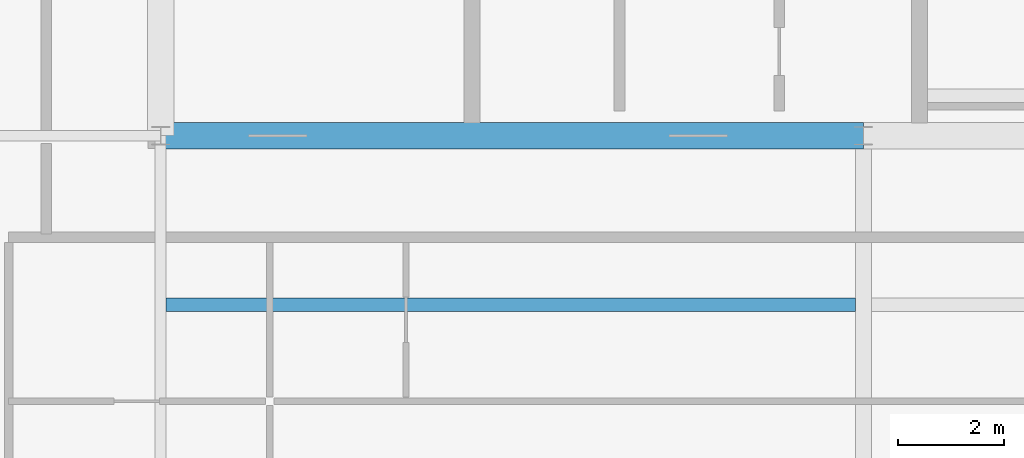
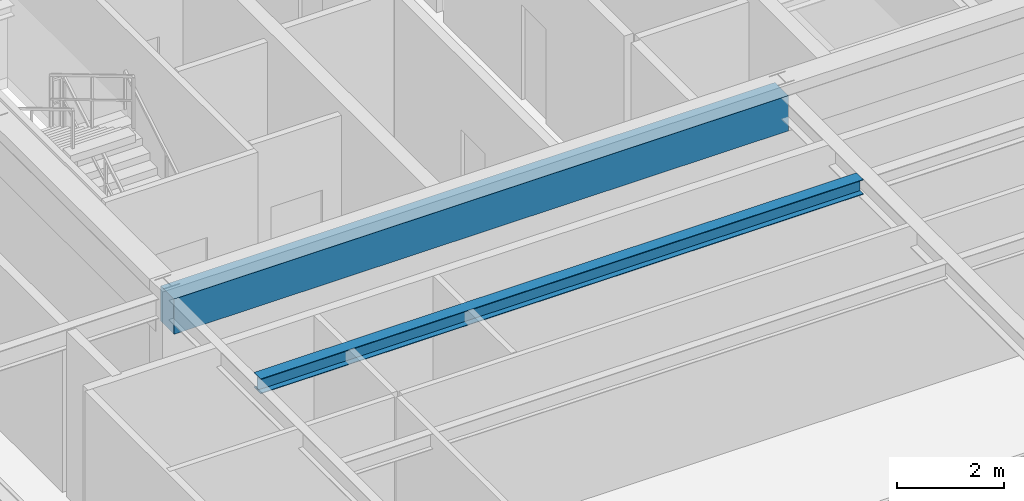
# One storey, part 7 of 34: 2 beams.
"""IFC4 building model written with IfcOpenShell, lengths in metres."""

from ifc_helpers import new_model, si_unit, direction, frame, origin, origin_2d, place, context, subcontext, project, spatial, rectangle, i_section, extrude, source, transform, mapped, material, material_profile, profile_set, type_object, element, save


model = new_model("IFC4")

# Units and contexts
model_context = context("Model", 3, precision=1e-05, world=origin(), true_north=direction((0.0, 1.0)))
body_context = subcontext(model_context, "Body", "Model", "MODEL_VIEW")
ifc_project = project(units=[si_unit("LENGTHUNIT", "METRE"), si_unit("AREAUNIT", "SQUARE_METRE"), si_unit("VOLUMEUNIT", "CUBIC_METRE"), si_unit("PLANEANGLEUNIT", "RADIAN"), si_unit("MASSUNIT", "GRAM", prefix="KILO"), si_unit("THERMODYNAMICTEMPERATUREUNIT", "KELVIN"), si_unit("POWERUNIT", "WATT")], contexts=[model_context])

# Site, building, storey
site_placement = place(None, origin())
site = spatial("IfcSite", under=ifc_project, at=site_placement, CompositionType="ELEMENT")
building_placement = place(site_placement, origin())
building = spatial("IfcBuilding", under=site, at=building_placement, Name="Yuzanri Waterfront Tower", CompositionType="ELEMENT")
storey_placement = place(building_placement, frame((0.0, 0.0, 339.199951171875)))
storey = spatial("IfcBuildingStorey", under=building, at=storey_placement, Name="L91", CompositionType="ELEMENT", Elevation=339.199951171875)

# Beams
ifc_material_1 = material(Name="Concrete C50", Category="concrete")
ifc_material_profile_1 = material_profile(ifc_material_1, rectangle(XDim=0.5, YDim=0.800048828125, at=origin_2d()), Name="RC 500x800")
ifc_profile_set_1 = profile_set([ifc_material_profile_1], Name="Concrete C50")
beam_type_1 = type_object("IfcBeamType", Name="Core Coupling Lintel Concrete C50 500x800", PredefinedType="LINTEL", material=ifc_profile_set_1)
shared_shape_1 = source(origin(), body_context, "Body", "SweptSolid", [
    extrude(rectangle(XDim=0.5, YDim=0.800048828125, at=origin_2d()), origin(), (0.0, 0.0, 1.0), 13.199951171875),
])
beam_1_placement = place(storey_placement, frame((23.800048828125, 19.39990234375, 3.360107421875), z_axis=(1.0, 0.0, 0.0), x_axis=(0.0, 1.0, 0.0)))
element("IfcBeam", 1, at=beam_1_placement, inside=storey, type_object=beam_type_1, Name="L91 Core Tie Beam CS1", PredefinedType="LINTEL", context=body_context, shape_type="MappedRepresentation", body=[
    mapped(shared_shape_1, transform((0.0, 0.0, 0.0), scale=1.0)),
])
ifc_material_2 = material(Name="Steel Q355B", Category="steel")
ifc_material_profile_2 = material_profile(ifc_material_2, i_section(OverallWidth=0.25, OverallDepth=0.340087890625, WebThickness=0.009033203125, FlangeThickness=0.013916015625, at=origin_2d()), Name="HM 340x250x9x14")
ifc_profile_set_2 = profile_set([ifc_material_profile_2], Name="Steel Q355B")
beam_type_2 = type_object("IfcBeamType", Name="Penthouse Floor Girder Q355B HM 340x250", PredefinedType="BEAM", material=ifc_profile_set_2)
shared_shape_2 = source(origin(), body_context, "Body", "SweptSolid", [
    extrude(i_section(OverallWidth=0.25, OverallDepth=0.340087890625, WebThickness=0.009033203125, FlangeThickness=0.013916015625, at=origin_2d()), origin(), (0.0, 0.0, 1.0), 12.9501953125),
])
beam_2_placement = place(storey_placement, frame((23.89990234375, 16.22509765625, 3.590087890625), z_axis=(1.0, 0.0, 0.0), x_axis=(0.0, 1.0, 0.0)))
element("IfcBeam", 2, at=beam_2_placement, inside=storey, type_object=beam_type_2, Name="L91 Penthouse Trim Girder W", PredefinedType="BEAM", context=body_context, shape_type="MappedRepresentation", body=[
    mapped(shared_shape_2, transform((0.0, 0.0, 0.0), scale=1.0)),
])

save(model, "model.ifc")
